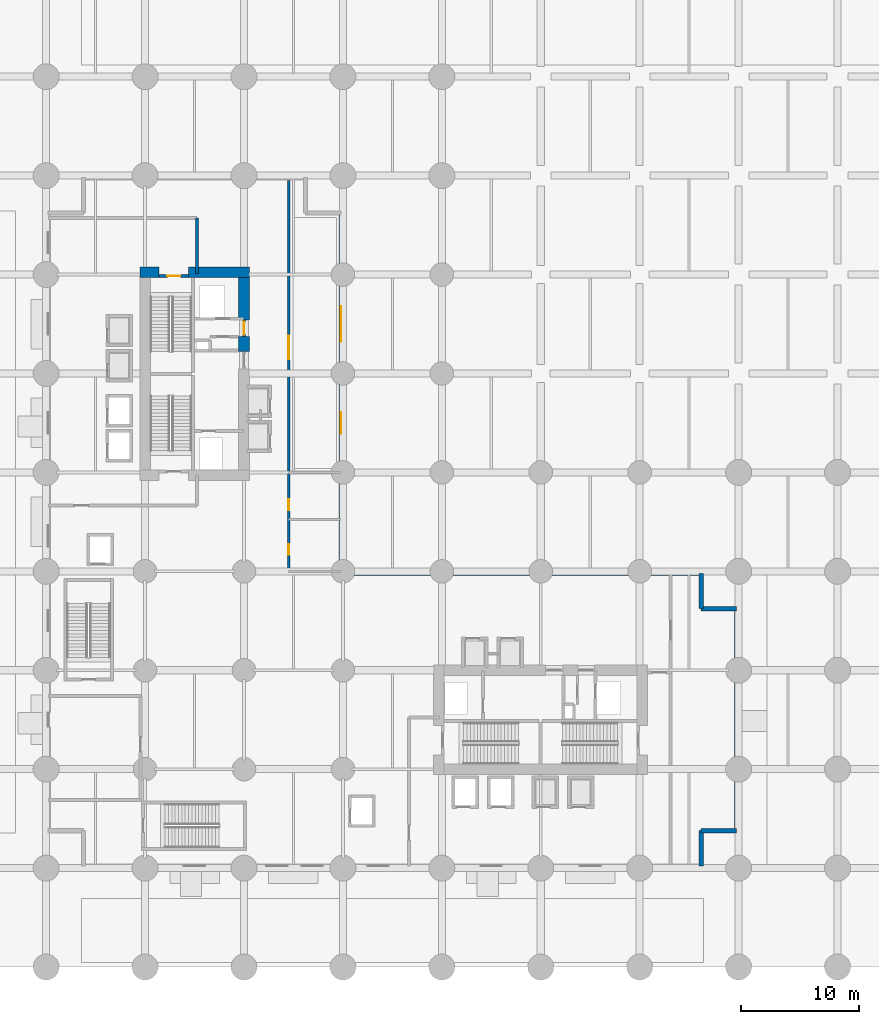
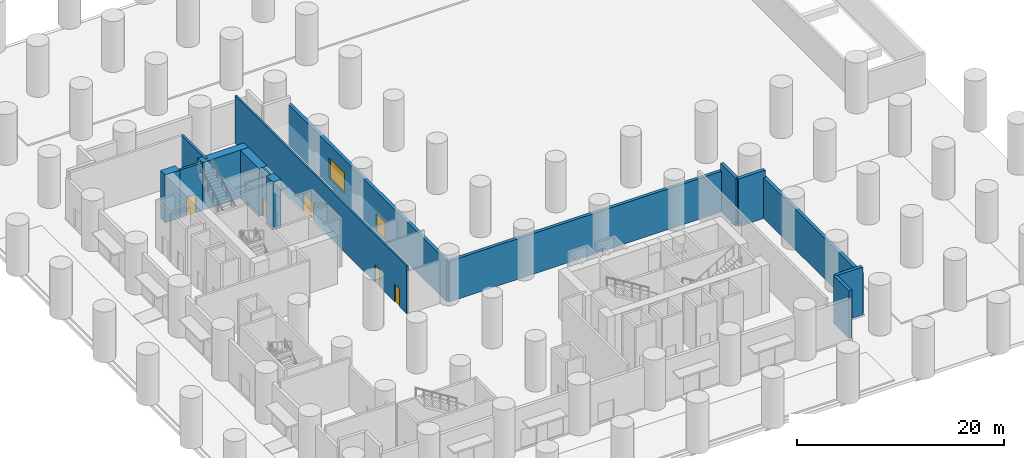
# One storey, part 8 of 13: 15 walls, 6 doors, 1 window, 7 openings.
"""IFC4 building model written with IfcOpenShell, lengths in metres."""

from ifc_helpers import new_model, si_unit, direction, frame, frame_2d, origin, place, context, subcontext, project, spatial, rectangle, extrude, material, layer, layer_set, type_object, element, fill, save


model = new_model("IFC4")

# Units and contexts
model_context = context("Model", 3, precision=1e-05, world=origin(), true_north=direction((0.0, 1.0)))
body_context = subcontext(model_context, "Body", "Model", "MODEL_VIEW")
ifc_project = project(units=[si_unit("LENGTHUNIT", "METRE"), si_unit("AREAUNIT", "SQUARE_METRE"), si_unit("VOLUMEUNIT", "CUBIC_METRE"), si_unit("PLANEANGLEUNIT", "RADIAN"), si_unit("MASSUNIT", "GRAM", prefix="KILO")], contexts=[model_context])

# Site, building, storey
site_placement = place(None, origin())
site = spatial("IfcSite", under=ifc_project, at=site_placement, CompositionType="ELEMENT")
building_placement = place(site_placement, origin())
building = spatial("IfcBuilding", under=site, at=building_placement, Name="Koriwani Terraces Tower", CompositionType="ELEMENT")
storey_placement = place(building_placement, origin())
storey = spatial("IfcBuildingStorey", under=building, at=storey_placement, Name="L00", CompositionType="ELEMENT", Elevation=0.0)

# Walls
ifc_material_1 = material(Name="Concrete C60/75", Category="concrete")
ifc_layer_1 = layer(ifc_material_1, 0.89990234375, Name="Concrete C60/75")
ifc_layer_set_1 = layer_set([ifc_layer_1], Name="Concrete C60/75")
wall_type_1 = type_object("IfcWallType", Name="WALL_CORE_RC_900", PredefinedType="SHEAR", material=ifc_layer_set_1)
wall_1_placement = place(storey_placement, frame((16.35009765625, 59.0, 0.0), z_axis=(0.0, 0.0, 1.0), x_axis=(1.0, 0.0, 0.0)))
element("IfcWall", 1, at=wall_1_placement, inside=storey, type_object=wall_type_1, Name="L00 West Split Core Shear Wall N1", PredefinedType="SHEAR", context=body_context, shape_type="SweptSolid", body=[
    extrude(rectangle(XDim=1.64990234375, YDim=0.89990234375, at=frame_2d((0.824951171875, 0.0))), origin(), (0.0, 0.0, 1.0), 5.64990234375),
])
wall_2_placement = place(storey_placement, frame((20.5, 59.0, 0.0), z_axis=(0.0, 0.0, 1.0), x_axis=(1.0, 0.0, 0.0)))
element("IfcWall", 2, at=wall_2_placement, inside=storey, type_object=wall_type_1, Name="L00 West Split Core Shear Wall N2", PredefinedType="SHEAR", context=body_context, shape_type="SweptSolid", body=[
    extrude(rectangle(XDim=5.14990234375, YDim=0.89990234375, at=frame_2d((2.574951171875, 0.0))), origin(), (0.0, 0.0, 1.0), 5.64990234375),
])
wall_3_placement = place(storey_placement, frame((25.199951171875, 52.280029296875, 0.0), z_axis=(0.0, 0.0, 1.0), x_axis=(0.0, 1.0, 0.0)))
element("IfcWall", 3, at=wall_3_placement, inside=storey, type_object=wall_type_1, Name="L00 West Split Core Shear Wall E2", PredefinedType="SHEAR", context=body_context, shape_type="SweptSolid", body=[
    extrude(rectangle(XDim=1.27001953125, YDim=0.89990234375, at=frame_2d((0.635009765625, 0.0))), origin(), (0.0, 0.0, 1.0), 5.64990234375),
])
wall_4_placement = place(storey_placement, frame((25.199951171875, 54.949951171875, 0.0), z_axis=(0.0, 0.0, 1.0), x_axis=(0.0, 1.0, 0.0)))
element("IfcWall", 4, at=wall_4_placement, inside=storey, type_object=wall_type_1, Name="L00 West Split Core Shear Wall E3", PredefinedType="SHEAR", context=body_context, shape_type="SweptSolid", body=[
    extrude(rectangle(XDim=3.60009765625, YDim=0.89990234375, at=frame_2d((1.800048828125, 0.0))), origin(), (0.0, 0.0, 1.0), 5.64990234375),
])

# Wall, openings, doors
ifc_material_2 = material(Name="Autoclaved Cellular Concrete Blockwork", Category="masonry")
ifc_layer_2 = layer(ifc_material_2, 0.199951171875, Name="Autoclaved Cellular Concrete Blockwork")
ifc_layer_set_2 = layer_set([ifc_layer_2], Name="Autoclaved Cellular Concrete Blockwork")
wall_type_2 = type_object("IfcWallType", Name="WALL_CORRIDOR_200", PredefinedType="PARTITIONING", material=ifc_layer_set_2)
wall_5_placement = place(storey_placement, frame((29.0, 33.60009765625, 0.0), z_axis=(0.0, 0.0, 1.0), x_axis=(0.0, 1.0, 0.0)))
wall_5 = element("IfcWall", 5, at=wall_5_placement, inside=storey, type_object=wall_type_2, Name="L00 Interior Wall WL00-RET-W", PredefinedType="PARTITIONING", context=body_context, shape_type="SweptSolid", body=[
    extrude(rectangle(XDim=33.199951171875, YDim=0.199951171875, at=frame_2d((16.60009765625, 0.0))), origin(), (0.0, 0.0, 1.0), 5.64990234375),
])
opening_1_placement = place(wall_5_placement, frame((1.39990234375, 0.0, 0.0)))
opening_1 = element("IfcOpeningElement", 6, at=opening_1_placement, cuts=wall_5, Name="Opening D-06", PredefinedType="OPENING", context=body_context, shape_type="SweptSolid", body=[
    extrude(rectangle(XDim=0.919921875, YDim=2.10009765625, at=frame_2d((0.4599609375, 1.050048828125))), frame((0.0, 0.10986328125, 0.0), z_axis=(0.0, -1.0, 0.0), x_axis=(1.0, 0.0, 0.0)), (0.0, 0.0, 1.0), 0.219970703125),
])
opening_2_placement = place(wall_5_placement, frame((5.199951171875, 0.0, 0.0)))
opening_2 = element("IfcOpeningElement", 7, at=opening_2_placement, cuts=wall_5, Name="Opening D-06", PredefinedType="OPENING", context=body_context, shape_type="SweptSolid", body=[
    extrude(rectangle(XDim=0.919921875, YDim=2.10009765625, at=frame_2d((0.4599609375, 1.050048828125))), frame((0.0, 0.10986328125, 0.0), z_axis=(0.0, -1.0, 0.0), x_axis=(1.0, 0.0, 0.0)), (0.0, 0.0, 1.0), 0.219970703125),
])
opening_3_placement = place(wall_5_placement, frame((18.0, 0.0, 0.0)))
opening_3 = element("IfcOpeningElement", 8, at=opening_3_placement, cuts=wall_5, Name="Opening D-02", PredefinedType="OPENING", context=body_context, shape_type="SweptSolid", body=[
    extrude(rectangle(XDim=2.0, YDim=2.14990234375, at=frame_2d((1.0, 1.074951171875))), frame((0.0, 0.10986328125, 0.0), z_axis=(0.0, -1.0, 0.0), x_axis=(1.0, 0.0, 0.0)), (0.0, 0.0, 1.0), 0.219970703125),
])
ifc_material_3 = material(Name="Anodised Bronze Aluminium", Category="aluminium")
door_type_1 = type_object("IfcDoorType", Name="DOOR_ENTRANCE_DOUBLE_2000X2400", OperationType="NOTDEFINED", PredefinedType="DOOR", material=ifc_material_3)
door_1_placement = place(opening_3_placement, origin())
door_1 = element("IfcDoor", 9, at=door_1_placement, inside=storey, type_object=door_type_1, Name="L00 Flagship Boutique Interior Door", OperationType="SINGLE_SWING_RIGHT", OverallHeight=2.14990234375, OverallWidth=2.0, PredefinedType="DOOR", context=body_context, shape_type="SweptSolid", body=[
    extrude(rectangle(XDim=2.0, YDim=2.14990234375, at=frame_2d((1.0, 1.074951171875))), frame((0.0, 0.02490234375, 0.0), z_axis=(0.0, -1.0, 0.0), x_axis=(1.0, 0.0, 0.0)), (0.0, 0.0, 1.0), 0.050048828125),
])
fill(opening_3, door_1)
ifc_material_4 = material(Name="Architectural Oak Fire Door", Category="wood")
door_type_2 = type_object("IfcDoorType", Name="DOOR_ROOM_INT_920X2100", OperationType="NOTDEFINED", PredefinedType="DOOR", material=ifc_material_4)
door_2_placement = place(opening_1_placement, origin())
door_2 = element("IfcDoor", 10, at=door_2_placement, inside=storey, type_object=door_type_2, Name="L00 Public Restroom WC Door", OperationType="SINGLE_SWING_RIGHT", OverallHeight=2.10009765625, OverallWidth=0.919921875, PredefinedType="DOOR", context=body_context, shape_type="SweptSolid", body=[
    extrude(rectangle(XDim=0.919921875, YDim=2.10009765625, at=frame_2d((0.4599609375, 1.050048828125))), frame((0.0, 0.02490234375, 0.0), z_axis=(0.0, -1.0, 0.0), x_axis=(1.0, 0.0, 0.0)), (0.0, 0.0, 1.0), 0.050048828125),
])
fill(opening_1, door_2)
door_3_placement = place(opening_2_placement, origin())
door_3 = element("IfcDoor", 11, at=door_3_placement, inside=storey, type_object=door_type_2, Name="L00 Accessible WC Door", OperationType="SINGLE_SWING_LEFT", OverallHeight=2.10009765625, OverallWidth=0.919921875, PredefinedType="DOOR", context=body_context, shape_type="SweptSolid", body=[
    extrude(rectangle(XDim=0.919921875, YDim=2.10009765625, at=frame_2d((0.4599609375, 1.050048828125))), frame((0.0, 0.02490234375, 0.0), z_axis=(0.0, -1.0, 0.0), x_axis=(1.0, 0.0, 0.0)), (0.0, 0.0, 1.0), 0.050048828125),
])
fill(opening_2, door_3)

# Wall, openings, door, window
ifc_material_5 = material(Name="Concrete C50/60", Category="concrete")
ifc_layer_3 = layer(ifc_material_5, 0.35009765625, Name="Concrete C50/60")
ifc_layer_set_3 = layer_set([ifc_layer_3], Name="Concrete C50/60")
wall_type_3 = type_object("IfcWallType", Name="WALL_EXT_BRUTALIST_350", PredefinedType="STANDARD", material=ifc_layer_set_3)
wall_6_placement = place(storey_placement, frame((33.425048828125, 64.02490234375, 0.0), z_axis=(0.0, 0.0, 1.0), x_axis=(0.0, -1.0, 0.0)))
wall_6 = element("IfcWall", 12, at=wall_6_placement, inside=storey, type_object=wall_type_3, Name="L00 Fair-Faced Brutalist Exterior Wall (NW_IN)", PredefinedType="STANDARD", context=body_context, shape_type="SweptSolid", body=[
    extrude(rectangle(XDim=30.599853515625, YDim=0.35009765625, at=frame_2d((15.2998046875, 0.0))), origin(), (0.0, 0.0, 1.0), 4.800048828125),
])
opening_4_placement = place(wall_6_placement, frame((16.925048828125, 0.0, 0.0)))
opening_4 = element("IfcOpeningElement", 13, at=opening_4_placement, cuts=wall_6, Name="Opening D-01", PredefinedType="OPENING", context=body_context, shape_type="SweptSolid", body=[
    extrude(rectangle(XDim=1.800048828125, YDim=2.199951171875, at=frame_2d((0.89990234375, 1.10009765625))), frame((0.0, 0.18505859375, 0.0), z_axis=(0.0, -1.0, 0.0), x_axis=(1.0, 0.0, 0.0)), (0.0, 0.0, 1.0), 0.3701171875),
])
opening_5_placement = place(wall_6_placement, frame((7.925048828125, 0.0, 0.85009765625)))
opening_5 = element("IfcOpeningElement", 14, at=opening_5_placement, cuts=wall_6, Name="Opening W-06", PredefinedType="OPENING", context=body_context, shape_type="SweptSolid", body=[
    extrude(rectangle(XDim=3.0, YDim=2.39990234375, at=frame_2d((1.5, 1.199951171875))), frame((0.0, 0.18505859375, 0.0), z_axis=(0.0, -1.0, 0.0), x_axis=(1.0, 0.0, 0.0)), (0.0, 0.0, 1.0), 0.3701171875),
])
door_type_3 = type_object("IfcDoorType", Name="DOOR_EXIT_DOUBLE_1800X2200", OperationType="NOTDEFINED", PredefinedType="DOOR", material=ifc_material_3)
door_4_placement = place(opening_4_placement, origin())
door_4 = element("IfcDoor", 15, at=door_4_placement, inside=storey, type_object=door_type_3, Name="Final Exit Door EX-12 (Flagship Boutique Plaza Entrance)", OperationType="DOUBLE_SWING_LEFT", OverallHeight=2.199951171875, OverallWidth=1.800048828125, PredefinedType="DOOR", context=body_context, shape_type="SweptSolid", body=[
    extrude(rectangle(XDim=1.800048828125, YDim=2.199951171875, at=frame_2d((0.89990234375, 1.10009765625))), frame((0.0, 0.02490234375, 0.0), z_axis=(0.0, -1.0, 0.0), x_axis=(1.0, 0.0, 0.0)), (0.0, 0.0, 1.0), 0.050048828125),
])
fill(opening_4, door_4)
ifc_material_6 = material(Name="Tempered Laminated Low-E Glass", Category="glass")
window_type = type_object("IfcWindowType", Name="WIN_PODIUM_PUNCHED_3000X2400", PartitioningType="TRIPLE_PANEL_VERTICAL", PredefinedType="WINDOW", material=ifc_material_6)
window_placement = place(opening_5_placement, origin())
window = element("IfcWindow", 16, at=window_placement, inside=storey, type_object=window_type, Name="L00 Exterior Window (NW_IN-8)", OverallHeight=2.39990234375, OverallWidth=3.0, PartitioningType="SINGLE_PANEL", PredefinedType="WINDOW", context=body_context, shape_type="SweptSolid", body=[
    extrude(rectangle(XDim=3.0, YDim=2.39990234375, at=frame_2d((1.5, 1.199951171875))), frame((0.0, 0.030029296875, 0.0), z_axis=(0.0, -1.0, 0.0), x_axis=(1.0, 0.0, 0.0)), (0.0, 0.0, 1.0), 0.06005859375),
])
fill(opening_5, window)

# Walls
wall_7_placement = place(storey_placement, frame((33.425048828125, 33.425048828125, 0.0), z_axis=(0.0, 0.0, 1.0), x_axis=(1.0, 0.0, 0.0)))
element("IfcWall", 17, at=wall_7_placement, inside=storey, type_object=wall_type_3, Name="L00 Fair-Faced Brutalist Exterior Wall (NE)", PredefinedType="STANDARD", context=body_context, shape_type="SweptSolid", body=[
    extrude(rectangle(XDim=30.599853515625, YDim=0.35009765625, at=frame_2d((15.2998046875, 0.0))), origin(), (0.0, 0.0, 1.0), 4.800048828125),
])
for number, where, z_axis, x_axis, name in (
    (18, (64.02490234375, 33.425048828125, 0.0), (0.0, 0.0, 1.0), (0.0, -1.0, 0.0), "L00 Fair-Faced Brutalist Exterior Wall (N10)"),
    (19, (64.02490234375, 30.425048828125, 0.0), (0.0, 0.0, 1.0), (1.0, 0.0, 0.0), "L00 Fair-Faced Brutalist Exterior Wall (N11)"),
):
    element("IfcWall", number, at=place(storey_placement, frame(where, z_axis=z_axis, x_axis=x_axis)), inside=storey, type_object=wall_type_3, Name=name, PredefinedType="STANDARD", context=body_context, shape_type="SweptSolid", body=[
        extrude(rectangle(XDim=3.0, YDim=0.35009765625, at=frame_2d((1.5, 0.0))), origin(), (0.0, 0.0, 1.0), 5.64990234375),
    ])
wall_8_placement = place(storey_placement, frame((67.02490234375, 30.425048828125, 0.0), z_axis=(0.0, 0.0, 1.0), x_axis=(0.0, -1.0, 0.0)))
element("IfcWall", 20, at=wall_8_placement, inside=storey, type_object=wall_type_3, Name="L00 Fair-Faced Brutalist Exterior Wall (E_TIP)", PredefinedType="STANDARD", context=body_context, shape_type="SweptSolid", body=[
    extrude(rectangle(XDim=18.85009765625, YDim=0.35009765625, at=frame_2d((9.425048828125, 0.0))), origin(), (0.0, 0.0, 1.0), 4.800048828125),
])
for number, where, z_axis, x_axis, name in (
    (21, (67.02490234375, 11.574951171875, 0.0), (0.0, 0.0, 1.0), (-1.0, 0.0, 0.0), "L00 Fair-Faced Brutalist Exterior Wall (N13)"),
    (22, (64.02490234375, 11.574951171875, 0.0), (0.0, 0.0, 1.0), (0.0, -1.0, 0.0), "L00 Fair-Faced Brutalist Exterior Wall (N14)"),
):
    element("IfcWall", number, at=place(storey_placement, frame(where, z_axis=z_axis, x_axis=x_axis)), inside=storey, type_object=wall_type_3, Name=name, PredefinedType="STANDARD", context=body_context, shape_type="SweptSolid", body=[
        extrude(rectangle(XDim=3.0, YDim=0.35009765625, at=frame_2d((1.5, 0.0))), origin(), (0.0, 0.0, 1.0), 5.64990234375),
    ])

# Wall, opening, door
ifc_material_7 = material(Name="Concrete C40/50", Category="concrete")
ifc_layer_4 = layer(ifc_material_7, 0.25, Name="Concrete C40/50")
ifc_layer_set_4 = layer_set([ifc_layer_4], Name="Concrete C40/50")
wall_type_4 = type_object("IfcWallType", Name="WALL_SHAFT_RATED_250", PredefinedType="SOLIDWALL", material=ifc_layer_set_4)
wall_9_placement = place(storey_placement, frame((18.0, 58.675048828125, 0.0), z_axis=(0.0, 0.0, 1.0), x_axis=(1.0, 0.0, 0.0)))
wall_9 = element("IfcWall", 23, at=wall_9_placement, inside=storey, type_object=wall_type_4, Name="L00 Interior Wall WIN-CW-L00-STN", PredefinedType="SOLIDWALL", context=body_context, shape_type="SweptSolid", body=[
    extrude(rectangle(XDim=2.5, YDim=0.25, at=frame_2d((1.25, 0.0))), origin(), (0.0, 0.0, 1.0), 5.64990234375),
])
opening_6_placement = place(wall_9_placement, frame((0.699951171875, 0.0, 0.0)))
opening_6 = element("IfcOpeningElement", 24, at=opening_6_placement, cuts=wall_9, Name="Opening D-03", PredefinedType="OPENING", context=body_context, shape_type="SweptSolid", body=[
    extrude(rectangle(XDim=1.10009765625, YDim=2.14990234375, at=frame_2d((0.550048828125, 1.074951171875))), frame((0.0, 0.135009765625, 0.0), z_axis=(0.0, -1.0, 0.0), x_axis=(1.0, 0.0, 0.0)), (0.0, 0.0, 1.0), 0.27001953125),
])
ifc_material_8 = material(Name="Steel ASTM A572 Grade 50", Category="steel")
door_type_4 = type_object("IfcDoorType", Name="DOOR_STAIR_FIRE_1100X2150", OperationType="NOTDEFINED", PredefinedType="DOOR", material=ifc_material_8)
door_5_placement = place(opening_6_placement, origin())
door_5 = element("IfcDoor", 25, at=door_5_placement, inside=storey, type_object=door_type_4, Name="L00 Exit Stair ST-W2 Door", OperationType="SINGLE_SWING_LEFT", OverallHeight=2.14990234375, OverallWidth=1.10009765625, PredefinedType="DOOR", context=body_context, shape_type="SweptSolid", body=[
    extrude(rectangle(XDim=1.10009765625, YDim=2.14990234375, at=frame_2d((0.550048828125, 1.074951171875))), frame((0.0, 0.02490234375, 0.0), z_axis=(0.0, -1.0, 0.0), x_axis=(1.0, 0.0, 0.0)), (0.0, 0.0, 1.0), 0.050048828125),
])
fill(opening_6, door_5)

wall_10_placement = place(storey_placement, frame((25.199951171875, 53.550048828125, 0.0), z_axis=(0.0, 0.0, 1.0), x_axis=(0.0, 1.0, 0.0)))
wall_10 = element("IfcWall", 26, at=wall_10_placement, inside=storey, type_object=wall_type_4, Name="L00 Interior Wall WIN-CW-L00-EP2", PredefinedType="SOLIDWALL", context=body_context, shape_type="SweptSolid", body=[
    extrude(rectangle(XDim=1.39990234375, YDim=0.25, at=frame_2d((0.699951171875, 0.0))), origin(), (0.0, 0.0, 1.0), 5.64990234375),
])
opening_7_placement = place(wall_10_placement, frame((0.14990234375, 0.0, 0.0)))
opening_7 = element("IfcOpeningElement", 27, at=opening_7_placement, cuts=wall_10, Name="Opening D-03", PredefinedType="OPENING", context=body_context, shape_type="SweptSolid", body=[
    extrude(rectangle(XDim=1.10009765625, YDim=2.14990234375, at=frame_2d((0.550048828125, 1.074951171875))), frame((0.0, 0.135009765625, 0.0), z_axis=(0.0, -1.0, 0.0), x_axis=(1.0, 0.0, 0.0)), (0.0, 0.0, 1.0), 0.27001953125),
])
door_6_placement = place(opening_7_placement, origin())
door_6 = element("IfcDoor", 28, at=door_6_placement, inside=storey, type_object=door_type_4, Name="L00 West Goods Lift Lobby Door", OperationType="SINGLE_SWING_LEFT", OverallHeight=2.14990234375, OverallWidth=1.10009765625, PredefinedType="DOOR", context=body_context, shape_type="SweptSolid", body=[
    extrude(rectangle(XDim=1.10009765625, YDim=2.14990234375, at=frame_2d((0.550048828125, 1.074951171875))), frame((0.0, 0.02490234375, 0.0), z_axis=(0.0, -1.0, 0.0), x_axis=(1.0, 0.0, 0.0)), (0.0, 0.0, 1.0), 0.050048828125),
])
fill(opening_7, door_6)

# Wall
wall_11_placement = place(storey_placement, frame((21.199951171875, 58.89990234375, 0.0), z_axis=(0.0, 0.0, 1.0), x_axis=(0.0, 1.0, 0.0)))
element("IfcWall", 29, at=wall_11_placement, inside=storey, type_object=wall_type_4, Name="L00 Interior Wall WL00-WPASS-E2", PredefinedType="SOLIDWALL", context=body_context, shape_type="SweptSolid", body=[
    extrude(rectangle(XDim=4.7001953125, YDim=0.25, at=frame_2d((2.35009765625, 0.0))), origin(), (0.0, 0.0, 1.0), 5.64990234375),
])

save(model, "model.ifc")
